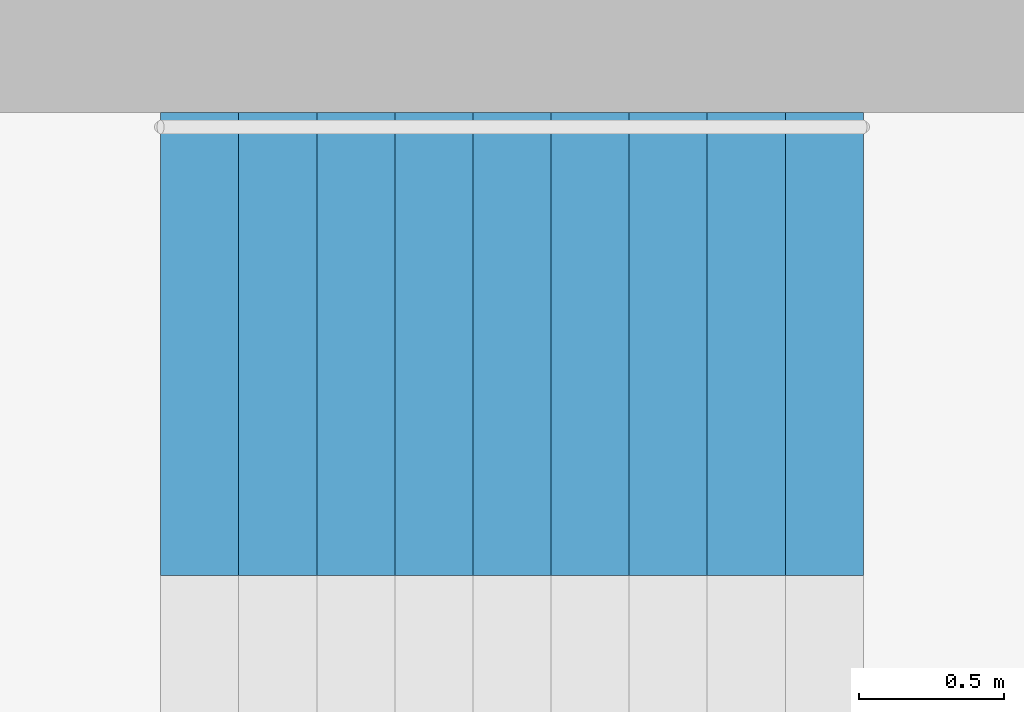
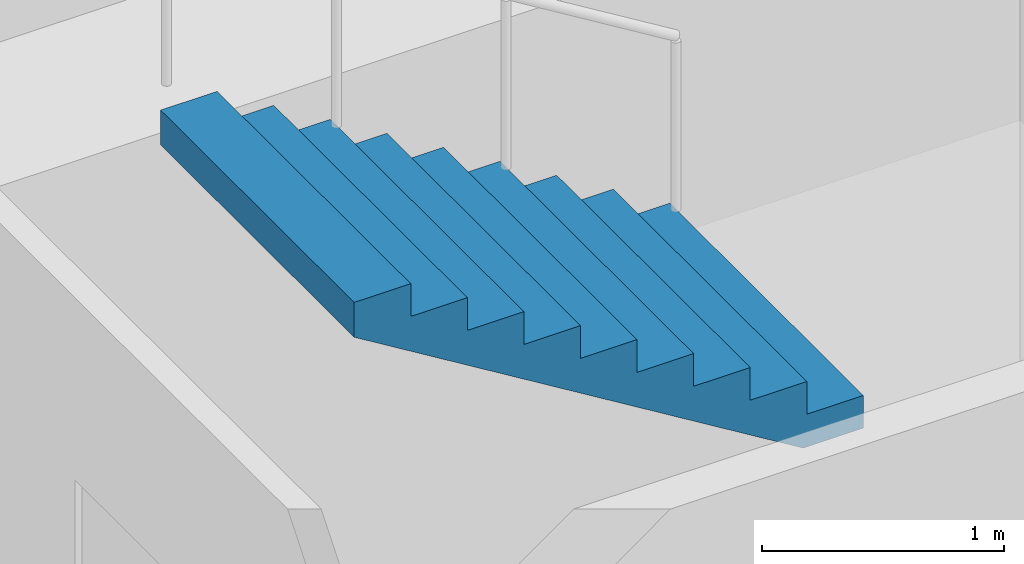
# One storey, part 11 of 14: 1 stair flight, 1 element without a shape of its own.
"""IFC4 building model written with IfcOpenShell, lengths in metres."""

import ifcopenshell
import ifcopenshell.guid

model = None  # the IFC model being written
_history = None  # IfcOwnerHistory: only IFC2X3 demands one
_inside = {}  # id of a spatial element -> (the spatial element, [elements in it])
_under = {}  # id of a project, library or spatial element -> (it, [spatial elements below it])
_declared = {}  # id of a project -> (the project, [libraries it declares])
_typed = {}  # id of a type object -> (the type object, [elements of that type])
_made_of = {}  # id of a material, layer set ... -> (it, [elements and type objects made of it])


def new_model(schema):
    """Start an empty IFC model of exactly this schema.

    Asked for "IFC4X3", IfcOpenShell would pick the latest addendum, in which some entities
    have other attributes; the version numbers below select the first issue.
    IFC2X3 requires an IfcOwnerHistory on every rooted entity: one is made here for all.
    """
    global model, _history
    if schema == "IFC4X3":
        model = ifcopenshell.file(schema_version=(4, 3, 0, 0))
    else:
        model = ifcopenshell.file(schema=schema)
    _inside.clear()
    _under.clear()
    _declared.clear()
    _typed.clear()
    _made_of.clear()
    _history = None
    if model.schema == "IFC2X3":
        org = make("IfcOrganization", Name="unknown")
        user = make(
            "IfcPersonAndOrganization",
            ThePerson=make("IfcPerson", FamilyName="unknown"),
            TheOrganization=org,
        )
        app = make(
            "IfcApplication",
            ApplicationDeveloper=org,
            Version="unknown",
            ApplicationFullName="unknown",
            ApplicationIdentifier="unknown",
        )
        _history = make(
            "IfcOwnerHistory",
            OwningUser=user,
            OwningApplication=app,
            ChangeAction="ADDED",
            CreationDate=0,
        )
    return model


def make(cls, **values):
    """One entity of the class cls with the attributes given. An attribute that is None is left unset."""
    return model.create_entity(
        cls, **{name: value for name, value in values.items() if value is not None}
    )


def rooted(cls, **values):
    """An entity with a GlobalId (a new one), such as an element, a storey or a relation."""
    return make(cls, GlobalId=ifcopenshell.guid.new(), OwnerHistory=_history, **values)


def si_unit(unit_type, name, prefix=None):
    """IfcSIUnit, for example si_unit("LENGTHUNIT", "METRE", prefix="MILLI")."""
    return make("IfcSIUnit", UnitType=unit_type, Prefix=prefix, Name=name)


def assignment(units):
    """IfcUnitAssignment: the units of a project."""
    return None if units is None else make("IfcUnitAssignment", Units=units)


def point(xyz):
    """IfcCartesianPoint."""
    return None if xyz is None else make("IfcCartesianPoint", Coordinates=xyz)


def direction(xyz):
    """IfcDirection."""
    return None if xyz is None else make("IfcDirection", DirectionRatios=xyz)


def frame(location, z_axis=None, x_axis=None):
    """IfcAxis2Placement3D, a coordinate frame: its origin and axes. An axis left out is left unset."""
    return make(
        "IfcAxis2Placement3D",
        Location=point(location),
        Axis=direction(z_axis),
        RefDirection=direction(x_axis),
    )


def origin():
    """The frame at (0, 0, 0) with its axes left unset."""
    return frame((0.0, 0.0, 0.0))


def place(relative_to, where):
    """IfcLocalPlacement: puts the frame where relative to a parent placement (None: the world)."""
    return make(
        "IfcLocalPlacement", PlacementRelTo=relative_to, RelativePlacement=where
    )


def context(
    kind, dimensions, precision=None, world=None, true_north=None, identifier=None
):
    """IfcGeometricRepresentationContext, for example the 3D "Model" context."""
    return make(
        "IfcGeometricRepresentationContext",
        ContextIdentifier=identifier,
        ContextType=kind,
        CoordinateSpaceDimension=dimensions,
        Precision=precision,
        WorldCoordinateSystem=world,
        TrueNorth=true_north,
    )


def subcontext(parent, identifier, kind, view, scale=None):
    """IfcGeometricRepresentationSubContext, for example "Body" below "Model"."""
    return make(
        "IfcGeometricRepresentationSubContext",
        ContextIdentifier=identifier,
        ContextType=kind,
        ParentContext=parent,
        TargetScale=scale,
        TargetView=view,
    )


def project(units=None, contexts=None):
    """IfcProject with its units and contexts."""
    return rooted(
        "IfcProject",
        Name="project",
        RepresentationContexts=contexts,
        UnitsInContext=assignment(units),
    )


def spatial(cls, under=None, at=None, **own):
    """A site, building, storey or space (cls), placed at a placement, below another one or the project."""
    s = rooted(cls, ObjectPlacement=at, **own)
    if under is not None:
        _under.setdefault(under.id(), (under, []))[1].append(s)
    return s


def polyline(points):
    """IfcPolyline through the points."""
    return make("IfcPolyline", Points=[point(p) for p in points])


def outline(outer, holes=None, kind="AREA"):
    """IfcArbitraryClosedProfileDef: a profile drawn as a closed curve; with holes, ...WithVoids."""
    if holes is None:
        return make("IfcArbitraryClosedProfileDef", ProfileType=kind, OuterCurve=outer)
    return make(
        "IfcArbitraryProfileDefWithVoids",
        ProfileType=kind,
        OuterCurve=outer,
        InnerCurves=holes,
    )


def extrude(swept, where, along, depth):
    """IfcExtrudedAreaSolid: the profile swept, set in the frame where, extruded along a direction by depth."""
    return make(
        "IfcExtrudedAreaSolid",
        SweptArea=swept,
        Position=where,
        ExtrudedDirection=direction(along),
        Depth=depth,
    )


def shape(context_of_items, identifier, shape_type, items):
    """IfcShapeRepresentation: the items that make up one representation, for example the "Body"."""
    return make(
        "IfcShapeRepresentation",
        ContextOfItems=context_of_items,
        RepresentationIdentifier=identifier,
        RepresentationType=shape_type,
        Items=items,
    )


def material(Name=None, Category=None):
    """IfcMaterial."""
    return make("IfcMaterial", Name=Name, Category=Category)


def made_of(thing, what):
    """Note that an element or type object is made of a material, layer set ...; save() writes the relation."""
    if what is not None:
        _made_of.setdefault(what.id(), (what, []))[1].append(thing)
    return thing


def type_object(cls, material=None, **own):
    """A type object (cls), such as IfcWallType, which elements share."""
    return made_of(rooted(cls, **own), material)


def element(
    cls,
    number,
    at=None,
    inside=None,
    cuts=None,
    type_object=None,
    material=None,
    context=None,
    identifier="Body",
    shape_type=None,
    held_by="IfcProductDefinitionShape",
    body=None,
    shapes=None,
    **own,
):
    """One element of the class cls, such as IfcWall. Its Tag is "e" and its number.

    at: its placement. inside: the storey or other place that contains it. cuts: it is an
    opening in that element (IfcRelVoidsElement). A single representation is given by context,
    identifier, shape_type and body (its items); several are given by shapes. held_by: the class
    of the entity that holds the representations. save() writes the other relations.
    """
    e = rooted(cls, Tag="e%d" % number, ObjectPlacement=at, **own)
    if body is not None:
        shapes = [shape(context, identifier, shape_type, body)]
    if shapes is not None:
        e.Representation = make(held_by, Representations=shapes)
    if inside is not None:
        _inside.setdefault(inside.id(), (inside, []))[1].append(e)
    if cuts is not None:
        rooted(
            "IfcRelVoidsElement", RelatingBuildingElement=cuts, RelatedOpeningElement=e
        )
    if type_object is not None:
        _typed.setdefault(type_object.id(), (type_object, []))[1].append(e)
    return made_of(e, material)


def aggregate(whole, parts):
    """IfcRelAggregates: a whole, such as a stair, and the parts it consists of."""
    return rooted("IfcRelAggregates", RelatingObject=whole, RelatedObjects=parts)


def save(model, path):
    """Write the relations noted so far, then the file.

    IfcRelAggregates (storeys below a building ...), IfcRelContainedInSpatialStructure (elements
    in a storey), IfcRelDefinesByType, IfcRelAssociatesMaterial and IfcRelDeclares: one each for
    every whole, place, type object, material and project.
    """
    for whole, parts in _under.values():
        aggregate(whole, parts)
    for where, things in _inside.values():
        rooted(
            "IfcRelContainedInSpatialStructure",
            RelatedElements=things,
            RelatingStructure=where,
        )
    for kind, things in _typed.values():
        rooted("IfcRelDefinesByType", RelatedObjects=things, RelatingType=kind)
    for what, things in _made_of.values():
        rooted("IfcRelAssociatesMaterial", RelatedObjects=things, RelatingMaterial=what)
    for by, libraries in _declared.values():
        rooted("IfcRelDeclares", RelatingContext=by, RelatedDefinitions=libraries)
    model.write(path)


model = new_model("IFC4")

# Units and contexts
model_context = context("Model", 3, precision=1e-05, world=origin(), true_north=direction((0.0, 1.0)))
body_context = subcontext(model_context, "Body", "Model", "MODEL_VIEW")
ifc_project = project(units=[si_unit("LENGTHUNIT", "METRE"), si_unit("AREAUNIT", "SQUARE_METRE"), si_unit("VOLUMEUNIT", "CUBIC_METRE"), si_unit("PLANEANGLEUNIT", "RADIAN"), si_unit("MASSUNIT", "GRAM", prefix="KILO")], contexts=[model_context])

# Site, building, storey
site_placement = place(None, origin())
site = spatial("IfcSite", under=ifc_project, at=site_placement, CompositionType="ELEMENT")
building_placement = place(site_placement, origin())
building = spatial("IfcBuilding", under=site, at=building_placement, Name="Taillehof Tower", CompositionType="ELEMENT")
storey_placement = place(building_placement, frame((0.0, 0.0, 21.699951171875)))
storey = spatial("IfcBuildingStorey", under=building, at=storey_placement, Name="L04", CompositionType="ELEMENT", Elevation=21.699951171875)

# Stair, stair flight
ifc_material_1 = material(Name="Concrete C40/50", Category="concrete")
stair_type = type_object("IfcStairType", Name="Exit stair half-turn", PredefinedType="HALF_TURN_STAIR", material=ifc_material_1)
stair_placement = place(storey_placement, origin())
stair = element("IfcStair", 1, at=stair_placement, inside=storey, type_object=stair_type, Name="Exit stair S1", PredefinedType="HALF_TURN_STAIR")
ifc_material_2 = material(Name="Concrete C40/50", Category="concrete")
stair_flight_type = type_object("IfcStairFlightType", Name="Stair flight 1600 riser 165.0 going 270", PredefinedType="STRAIGHT", material=ifc_material_2)
stair_flight_placement = place(storey_placement, frame((9.429931640625, 8.300048828125, 1.650146484375), z_axis=(0.0, 0.0, 1.0), x_axis=(-1.0, 0.0, 0.0)))
stair_flight = element("IfcStairFlight", 2, at=stair_flight_placement, type_object=stair_flight_type, Name="S1 flight 2", NumberOfRisers=10, NumberOfTreads=9, PredefinedType="STRAIGHT", RiserHeight=0.165, TreadLength=0.27, context=body_context, shape_type="SweptSolid", body=[
    extrude(outline(polyline([(0.0, 0.0), (0.0, 0.00537109375), (0.0, 0.0107421875), (0.0, 0.015869140625), (0.0, 0.021240234375), (0.0, 0.026611328125), (0.0, 0.031982421875), (0.0, 0.037353515625), (0.0, 0.04248046875), (0.0, 0.0478515625), (0.0, 0.05322265625), (0.0, 0.05859375), (0.0, 0.06396484375), (0.0, 0.069091796875), (0.0, 0.074462890625), (0.0, 0.079833984375), (0.0, 0.085205078125), (0.0, 0.090576171875), (0.0, 0.095703125), (0.0, 0.10107421875), (0.0, 0.1064453125), (0.0, 0.11181640625), (0.0, 0.1171875), (0.0, 0.122314453125), (0.0, 0.127685546875), (0.0, 0.133056640625), (0.0, 0.138427734375), (0.0, 0.143798828125), (0.0, 0.14892578125), (0.0, 0.154296875), (0.0, 0.15966796875), (0.0, 0.1650390625), (0.27001953125, 0.1650390625), (0.27001953125, 0.330078125), (0.5400390625, 0.330078125), (0.5400390625, 0.4951171875), (0.81005859375, 0.4951171875), (0.81005859375, 0.659912109375), (1.080078125, 0.659912109375), (1.080078125, 0.824951171875), (1.35009765625, 0.824951171875), (1.35009765625, 0.989990234375), (1.6201171875, 0.989990234375), (1.6201171875, 1.155029296875), (1.889892578125, 1.155029296875), (1.889892578125, 1.320068359375), (2.159912109375, 1.320068359375), (2.159912109375, 1.485107421875), (2.429931640625, 1.485107421875), (2.429931640625, 1.479248046875), (2.429931640625, 1.4736328125), (2.429931640625, 1.468017578125), (2.429931640625, 1.46240234375), (2.429931640625, 1.45654296875), (2.429931640625, 1.450927734375), (2.429931640625, 1.4453125), (2.429931640625, 1.439697265625), (2.429931640625, 1.43408203125), (2.429931640625, 1.42822265625), (2.429931640625, 1.422607421875), (2.429931640625, 1.4169921875), (2.429931640625, 1.411376953125), (2.429931640625, 1.40576171875), (2.429931640625, 1.39990234375), (2.429931640625, 1.394287109375), (2.429931640625, 1.388671875), (2.429931640625, 1.383056640625), (2.429931640625, 1.37744140625), (2.429931640625, 1.37158203125), (2.429931640625, 1.365966796875), (2.429931640625, 1.3603515625), (2.429931640625, 1.354736328125), (2.429931640625, 1.348876953125), (2.429931640625, 1.34326171875), (2.429931640625, 1.337646484375), (2.429931640625, 1.33203125), (2.429931640625, 1.326416015625), (2.429931640625, 1.320556640625), (2.429931640625, 1.31494140625), (2.429931640625, 1.309326171875), (0.287353515625, 0.0), (0.0, 0.0)])), frame((0.0, 0.800048828125, 0.0), z_axis=(0.0, -1.0, 0.0), x_axis=(1.0, 0.0, 0.0)), (0.0, 0.0, 1.0), 1.6),
])
aggregate(stair, [stair_flight])

save(model, "model.ifc")
